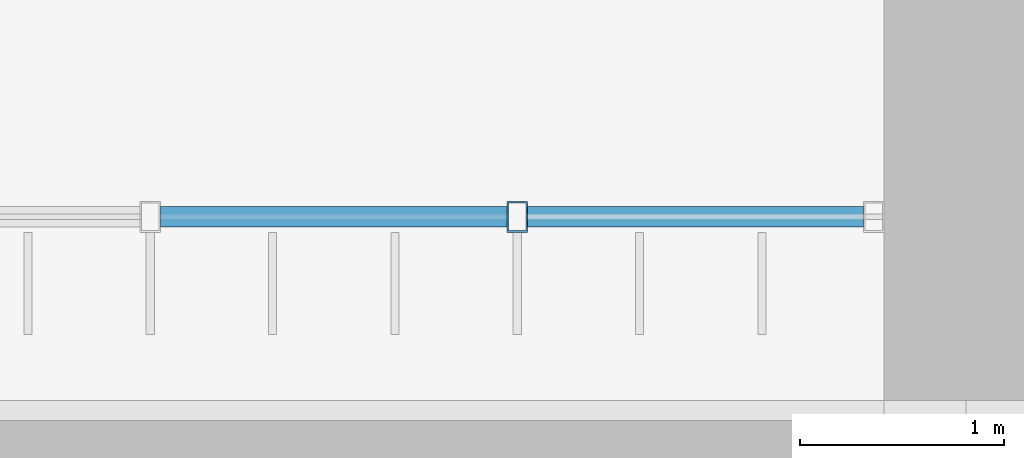
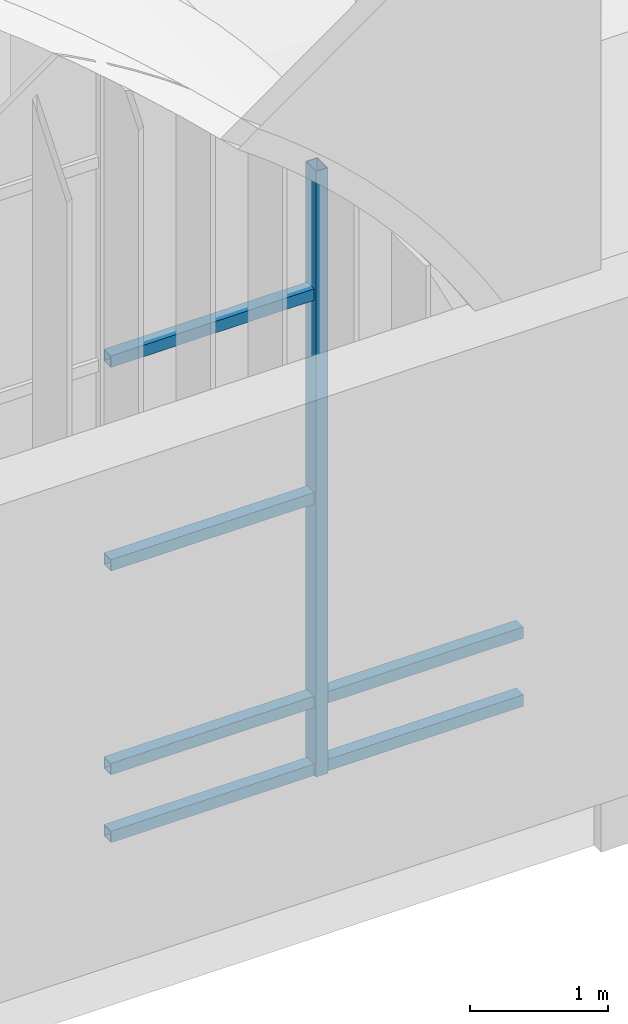
# One storey, part 32 of 169: 7 members, 1 element without a shape of its own.
"""IFC4 building model written with IfcOpenShell, lengths in metres."""

from ifc_helpers import new_model, si_unit, direction, frame, origin, origin_2d, place, context, subcontext, project, spatial, hollow_rectangle, extrude, material, layer, layer_set, material_profile, profile_set, type_object, element, aggregate, save


model = new_model("IFC4")

# Units and contexts
model_context = context("Model", 3, precision=1e-05, world=origin(), true_north=direction((0.0, 1.0)))
body_context = subcontext(model_context, "Body", "Model", "MODEL_VIEW")
ifc_project = project(units=[si_unit("LENGTHUNIT", "METRE"), si_unit("AREAUNIT", "SQUARE_METRE"), si_unit("VOLUMEUNIT", "CUBIC_METRE"), si_unit("PLANEANGLEUNIT", "RADIAN"), si_unit("MASSUNIT", "GRAM", prefix="KILO")], contexts=[model_context])

# Site, building, storey
site_placement = place(None, origin())
site = spatial("IfcSite", under=ifc_project, at=site_placement, CompositionType="ELEMENT")
building_placement = place(site_placement, origin())
building = spatial("IfcBuilding", under=site, at=building_placement, Name="Verrick Yard Athletic Hall", CompositionType="ELEMENT")
storey_placement = place(building_placement, frame((0.0, 0.0, 4.39990234375)))
storey = spatial("IfcBuildingStorey", under=building, at=storey_placement, Name="L01", CompositionType="ELEMENT", Elevation=4.39990234375)

# Curtain wall, members
ifc_material_1 = material(Name="Aluminium and glass curtain wall", Category="aluminium")
ifc_layer = layer(ifc_material_1, 0.14990234375)
ifc_layer_set = layer_set([ifc_layer], Name="Arcade glazing arch")
curtain_wall_type = type_object("IfcCurtainWallType", Name="Arcade glazing arch", PredefinedType="NOTDEFINED", material=ifc_layer_set)
curtain_wall_placement = place(storey_placement, origin())
curtain_wall = element("IfcCurtainWall", 1, at=curtain_wall_placement, inside=storey, type_object=curtain_wall_type, Name="Arcade glazing S4", PredefinedType="NOTDEFINED")
ifc_material_2 = material(Name="Structural steel HSS Class C 350W (CSA G40.20/G40.21)", Category="steel")
ifc_material_profile_1 = material_profile(ifc_material_2, hollow_rectangle(XDim=0.1015625, YDim=0.15234375, WallThickness=0.008056640625, at=origin_2d()), Name="HSS152x102x7.9")
ifc_profile_set_1 = profile_set([ifc_material_profile_1], Name="Structural steel HSS Class C 350W (CSA G40.20/G40.21)")
member_type_1 = type_object("IfcMemberType", Name="Curtain wall mullion HSS152x102x7.9", PredefinedType="MULLION", material=ifc_profile_set_1)
member_1_placement = place(storey_placement, frame((104.199951171875, 18.89990234375, 0.0), z_axis=(0.0, 0.0, 1.0), x_axis=(1.0, 0.0, 0.0)))
member_1 = element("IfcMember", 2, at=member_1_placement, type_object=member_type_1, Name="Arcade glazing S4 mullion 8", PredefinedType="MULLION", context=body_context, shape_type="SweptSolid", body=[
    extrude(hollow_rectangle(XDim=0.1015625, YDim=0.15234375, WallThickness=0.008056640625, at=origin_2d()), origin(), (0.0, 0.0, 1.0), 5.351806640625),
])
ifc_material_profile_2 = material_profile(ifc_material_2, hollow_rectangle(XDim=0.1015625, YDim=0.1015625, WallThickness=0.00634765625, at=origin_2d()), Name="HSS102x102x6.4")
ifc_profile_set_2 = profile_set([ifc_material_profile_2], Name="Structural steel HSS Class C 350W (CSA G40.20/G40.21)")
member_type_2 = type_object("IfcMemberType", Name="Curtain wall transom HSS102x102x6.4", PredefinedType="USERDEFINED", material=ifc_profile_set_2)
member_2_placement = place(storey_placement, frame((102.45068359375, 18.89990234375, 0.05078125), z_axis=(1.0, 0.0, 0.0), x_axis=(0.0, 1.0, 0.0)))
member_2 = element("IfcMember", 3, at=member_2_placement, type_object=member_type_2, Name="Arcade glazing S4 transom 27", ObjectType="TRANSOM", PredefinedType="USERDEFINED", context=body_context, shape_type="SweptSolid", body=[
    extrude(hollow_rectangle(XDim=0.1015625, YDim=0.1015625, WallThickness=0.00634765625, at=origin_2d()), origin(), (0.0, 0.0, 1.0), 1.698486328125),
])
member_3_placement = place(storey_placement, frame((102.45068359375, 18.89990234375, 0.650146484375), z_axis=(1.0, 0.0, 0.0), x_axis=(0.0, 1.0, 0.0)))
member_3 = element("IfcMember", 4, at=member_3_placement, type_object=member_type_2, Name="Arcade glazing S4 transom 28", ObjectType="TRANSOM", PredefinedType="USERDEFINED", context=body_context, shape_type="SweptSolid", body=[
    extrude(hollow_rectangle(XDim=0.1015625, YDim=0.1015625, WallThickness=0.00634765625, at=origin_2d()), origin(), (0.0, 0.0, 1.0), 1.698486328125),
])
member_4_placement = place(storey_placement, frame((102.45068359375, 18.89990234375, 2.4501953125), z_axis=(1.0, 0.0, 0.0), x_axis=(0.0, 1.0, 0.0)))
member_4 = element("IfcMember", 5, at=member_4_placement, type_object=member_type_2, Name="Arcade glazing S4 transom 29", ObjectType="TRANSOM", PredefinedType="USERDEFINED", context=body_context, shape_type="SweptSolid", body=[
    extrude(hollow_rectangle(XDim=0.1015625, YDim=0.1015625, WallThickness=0.00634765625, at=origin_2d()), origin(), (0.0, 0.0, 1.0), 1.698486328125),
])
member_5_placement = place(storey_placement, frame((102.45068359375, 18.89990234375, 4.25), z_axis=(1.0, 0.0, 0.0), x_axis=(0.0, 1.0, 0.0)))
member_5 = element("IfcMember", 6, at=member_5_placement, type_object=member_type_2, Name="Arcade glazing S4 transom 30", ObjectType="TRANSOM", PredefinedType="USERDEFINED", context=body_context, shape_type="SweptSolid", body=[
    extrude(hollow_rectangle(XDim=0.1015625, YDim=0.1015625, WallThickness=0.00634765625, at=origin_2d()), origin(), (0.0, 0.0, 1.0), 1.698486328125),
])
member_6_placement = place(storey_placement, frame((104.250732421875, 18.89990234375, 0.05078125), z_axis=(1.0, 0.0, 0.0), x_axis=(0.0, 1.0, 0.0)))
member_6 = element("IfcMember", 7, at=member_6_placement, type_object=member_type_2, Name="Arcade glazing S4 transom 31", ObjectType="TRANSOM", PredefinedType="USERDEFINED", context=body_context, shape_type="SweptSolid", body=[
    extrude(hollow_rectangle(XDim=0.1015625, YDim=0.1015625, WallThickness=0.00634765625, at=origin_2d()), origin(), (0.0, 0.0, 1.0), 1.647216796875),
])
member_7_placement = place(storey_placement, frame((104.250732421875, 18.89990234375, 0.650146484375), z_axis=(1.0, 0.0, 0.0), x_axis=(0.0, 1.0, 0.0)))
member_7 = element("IfcMember", 8, at=member_7_placement, type_object=member_type_2, Name="Arcade glazing S4 transom 32", ObjectType="TRANSOM", PredefinedType="USERDEFINED", context=body_context, shape_type="SweptSolid", body=[
    extrude(hollow_rectangle(XDim=0.1015625, YDim=0.1015625, WallThickness=0.00634765625, at=origin_2d()), origin(), (0.0, 0.0, 1.0), 1.647216796875),
])
aggregate(curtain_wall, [member_1, member_2, member_3, member_4, member_5, member_6, member_7])

save(model, "model.ifc")
